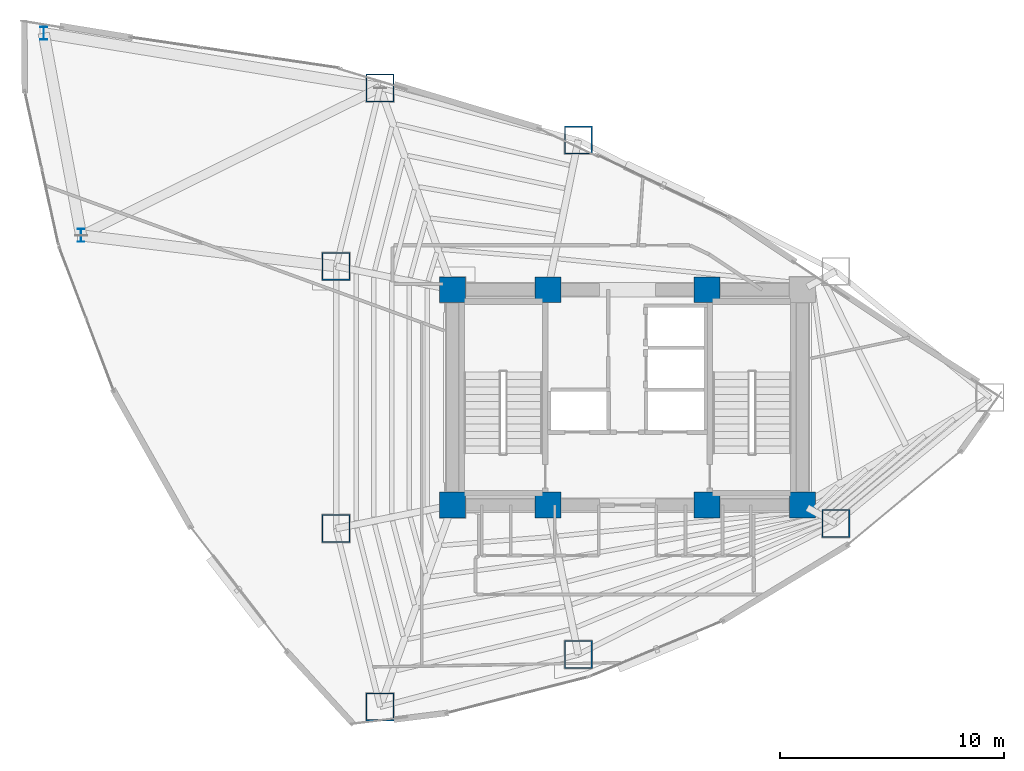
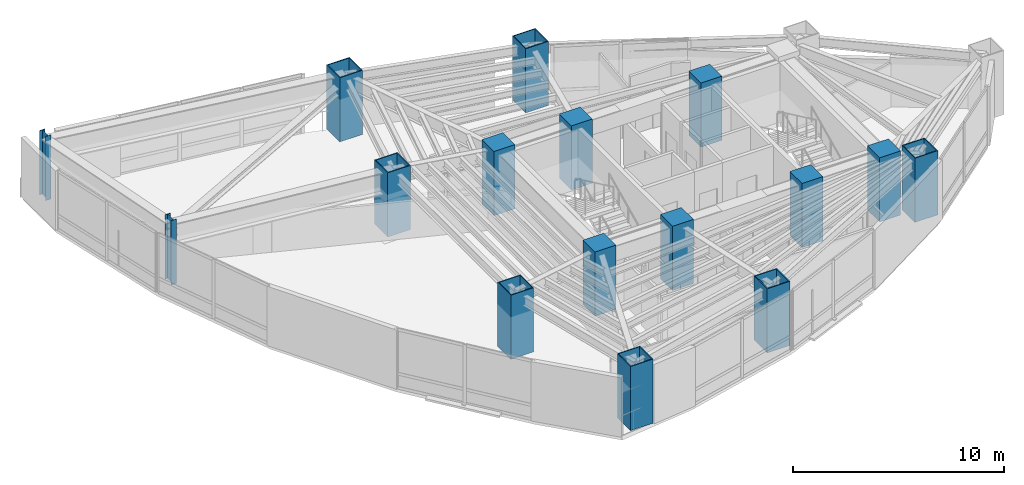
# One storey, part 1 of 25: 16 columns.
"""IFC4 building model written with IfcOpenShell, lengths in metres."""

from ifc_helpers import new_model, si_unit, direction, frame, origin, origin_2d, place, context, subcontext, project, spatial, rectangle, hollow_rectangle, i_section, extrude, material, material_profile, profile_set, type_object, element, save


model = new_model("IFC4")

# Units and contexts
model_context = context("Model", 3, precision=1e-05, world=origin(), true_north=direction((0.0, 1.0)))
body_context = subcontext(model_context, "Body", "Model", "MODEL_VIEW")
ifc_project = project(units=[si_unit("LENGTHUNIT", "METRE"), si_unit("AREAUNIT", "SQUARE_METRE"), si_unit("VOLUMEUNIT", "CUBIC_METRE"), si_unit("PLANEANGLEUNIT", "RADIAN"), si_unit("MASSUNIT", "GRAM", prefix="KILO")], contexts=[model_context])

# Site, building, storey
site_placement = place(None, origin())
site = spatial("IfcSite", under=ifc_project, at=site_placement, CompositionType="ELEMENT")
building_placement = place(site_placement, origin())
building = spatial("IfcBuilding", under=site, at=building_placement, Name="Menara Vayukalpa", CompositionType="ELEMENT")
storey_placement = place(building_placement, frame((0.0, 0.0, 115.139892578125)))
storey = spatial("IfcBuildingStorey", under=building, at=storey_placement, Name="L28", CompositionType="ELEMENT", Elevation=115.139892578125)

# Columns
ifc_material_1 = material(Name="Concrete C80/95", Category="concrete")
ifc_material_profile_1 = material_profile(ifc_material_1, rectangle(XDim=1.14990234375, YDim=1.14990234375, at=origin_2d()), Name="RC 1150x1150")
ifc_profile_set_1 = profile_set([ifc_material_profile_1], Name="Concrete C80/95")
column_type_1 = type_object("IfcColumnType", Name="COL-CC1", PredefinedType="COLUMN", material=ifc_profile_set_1)
for number, where, z_axis, x_axis, name in (
    (1, (17.800048828125, 17.199951171875, 0.0), (0.0, 0.0, 1.0), (1.0, 0.0, 0.0), "L28 Core Pilaster Column CC1"),
    (2, (22.050048828125, 17.199951171875, 0.0), (0.0, 0.0, 1.0), (1.0, 0.0, 0.0), "L28 Core Pilaster Column CC2"),
    (3, (29.14990234375, 17.199951171875, 0.0), (0.0, 0.0, 1.0), (1.0, 0.0, 0.0), "L28 Core Pilaster Column CC3"),
    (4, (33.39990234375, 17.199951171875, 0.0), (0.0, 0.0, 1.0), (1.0, 0.0, 0.0), "L28 Core Pilaster Column CC4"),
    (5, (17.800048828125, 26.800048828125, 0.0), (0.0, 0.0, 1.0), (1.0, 0.0, 0.0), "L28 Core Pilaster Column CC5"),
    (6, (22.050048828125, 26.800048828125, 0.0), (0.0, 0.0, 1.0), (1.0, 0.0, 0.0), "L28 Core Pilaster Column CC6"),
    (7, (29.14990234375, 26.800048828125, 0.0), (0.0, 0.0, 1.0), (1.0, 0.0, 0.0), "L28 Core Pilaster Column CC7"),
):
    element("IfcColumn", number, at=place(storey_placement, frame(where, z_axis=z_axis, x_axis=x_axis)), inside=storey, type_object=column_type_1, Name=name, PredefinedType="COLUMN", context=body_context, shape_type="SweptSolid", body=[
        extrude(rectangle(XDim=1.14990234375, YDim=1.14990234375, at=origin_2d()), origin(), (0.0, 0.0, 1.0), 3.72021484375),
    ])
ifc_material_2 = material(Name="Steel S460", Category="steel")
ifc_material_profile_2 = material_profile(ifc_material_2, hollow_rectangle(XDim=1.25, YDim=1.25, WallThickness=0.050048828125, at=origin_2d()), Name="BOX 1250x1250x50")
ifc_profile_set_2 = profile_set([ifc_material_profile_2], Name="Steel S460")
column_type_2 = type_object("IfcColumnType", Name="COL-MC2", PredefinedType="COLUMN", material=ifc_profile_set_2)
for number, where, z_axis, x_axis, name in (
    (8, (23.408203125, 33.46728515625, 0.0), (0.0, 0.0, 1.0), (1.0, 0.0, 0.0), "L28 Perimeter Mega Column P03"),
    (9, (14.569091796875, 35.79736328125, 0.0), (0.0, 0.0, 1.0), (1.0, 0.0, 0.0), "L28 Perimeter Mega Column P04"),
    (10, (12.606689453125, 27.845703125, 0.0), (0.0, 0.0, 1.0), (1.0, 0.0, 0.0), "L28 Perimeter Mega Column P05"),
    (11, (12.606689453125, 16.154296875, 0.0), (0.0, 0.0, 1.0), (1.0, 0.0, 0.0), "L28 Perimeter Mega Column P06"),
    (12, (14.569091796875, 8.20263671875, 0.0), (0.0, 0.0, 1.0), (1.0, 0.0, 0.0), "L28 Perimeter Mega Column P07"),
    (13, (23.408203125, 10.53271484375, 0.0), (0.0, 0.0, 1.0), (1.0, 0.0, 0.0), "L28 Perimeter Mega Column P08"),
    (14, (34.88671875, 16.37841796875, 0.0), (0.0, 0.0, 1.0), (1.0, 0.0, 0.0), "L28 Perimeter Mega Column P09"),
):
    element("IfcColumn", number, at=place(storey_placement, frame(where, z_axis=z_axis, x_axis=x_axis)), inside=storey, type_object=column_type_2, Name=name, PredefinedType="COLUMN", context=body_context, shape_type="SweptSolid", body=[
        extrude(hollow_rectangle(XDim=1.25, YDim=1.25, WallThickness=0.050048828125, at=origin_2d()), origin(), (0.0, 0.0, 1.0), 3.72021484375),
    ])
ifc_material_3 = material(Name="Steel S460", Category="steel")
ifc_material_profile_3 = material_profile(ifc_material_3, i_section(OverallWidth=0.300048828125, OverallDepth=0.587890625, WebThickness=0.011962890625, FlangeThickness=0.02001953125, at=origin_2d()), Name="H 588x300x12x20")
ifc_profile_set_3 = profile_set([ifc_material_profile_3], Name="Steel S460")
column_type_3 = type_object("IfcColumnType", Name="COL-SC1", PredefinedType="COLUMN", material=ifc_profile_set_3)
for number, where, z_axis, x_axis, name in (
    (15, (-0.4287109375, 38.2373046875, 0.0), (0.0, 0.0, 1.0), (1.0, 0.0, 0.0), "L28 SB2 Sky Bar Vierendeel Column SB04"),
    (16, (1.239990234375, 29.22314453125, 0.0), (0.0, 0.0, 1.0), (1.0, 0.0, 0.0), "L28 SB2 Sky Bar Vierendeel Column SB05"),
):
    element("IfcColumn", number, at=place(storey_placement, frame(where, z_axis=z_axis, x_axis=x_axis)), inside=storey, type_object=column_type_3, Name=name, PredefinedType="COLUMN", context=body_context, shape_type="SweptSolid", body=[
        extrude(i_section(OverallWidth=0.300048828125, OverallDepth=0.587890625, WebThickness=0.011962890625, FlangeThickness=0.02001953125, at=origin_2d()), origin(), (0.0, 0.0, 1.0), 3.72021484375),
    ])

save(model, "model.ifc")
